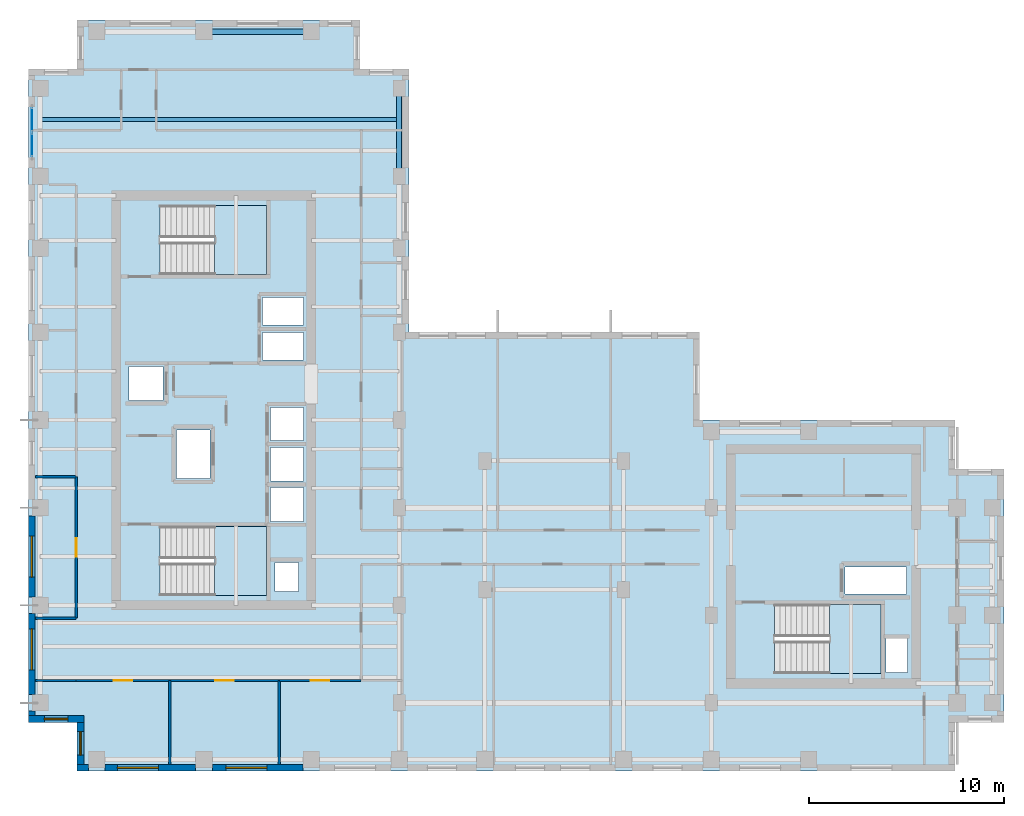
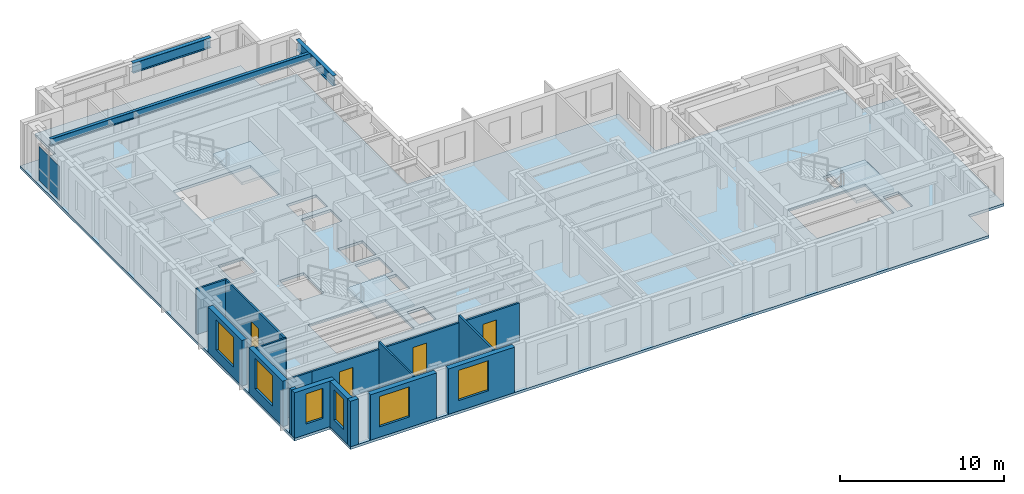
# One storey, part 5 of 13: 17 walls, 6 windows, 4 doors, 4 slabs, 3 beams, 2 plates, 10 openings, 4 elements without a shape of their own.
"""IFC4 building model written with IfcOpenShell, lengths in metres."""

from ifc_helpers import new_model, si_unit, direction, frame, frame_2d, origin, origin_2d, place, context, subcontext, project, spatial, polyline, rectangle, i_section, outline, extrude, source, transform, mapped, material, layer, layer_set, material_profile, profile_set, type_object, element, fill, aggregate, save


model = new_model("IFC4")

# Units and contexts
model_context = context("Model", 3, precision=1e-05, world=origin(), true_north=direction((0.0, 1.0)))
body_context = subcontext(model_context, "Body", "Model", "MODEL_VIEW")
ifc_project = project(units=[si_unit("LENGTHUNIT", "METRE"), si_unit("AREAUNIT", "SQUARE_METRE"), si_unit("VOLUMEUNIT", "CUBIC_METRE"), si_unit("PLANEANGLEUNIT", "RADIAN"), si_unit("MASSUNIT", "GRAM", prefix="KILO")], contexts=[model_context])

# Site, building, storey
site_placement = place(None, origin())
site = spatial("IfcSite", under=ifc_project, at=site_placement, CompositionType="ELEMENT")
building_placement = place(site_placement, origin())
building = spatial("IfcBuilding", under=site, at=building_placement, Name="Kharzan Plaza Tower", CompositionType="ELEMENT")
storey_placement = place(building_placement, frame((0.0, 0.0, 252.0)))
storey = spatial("IfcBuildingStorey", under=building, at=storey_placement, Name="L68", CompositionType="ELEMENT", Elevation=252.0)

# Beams
ifc_material_1 = material(Name="Steel S355", Category="steel")
ifc_material_profile_1 = material_profile(ifc_material_1, i_section(OverallWidth=0.2099609375, OverallDepth=0.537109375, WebThickness=0.010986328125, FlangeThickness=0.017333984375, at=origin_2d()), Name="W530x101")
ifc_profile_set_1 = profile_set([ifc_material_profile_1], Name="Steel S355")
beam_type_1 = type_object("IfcBeamType", Name="BM-JST530B", PredefinedType="JOIST", material=ifc_profile_set_1)
shared_shape_1 = source(origin(), body_context, "Body", "SweptSolid", [
    extrude(i_section(OverallWidth=0.2099609375, OverallDepth=0.537109375, WebThickness=0.010986328125, FlangeThickness=0.017333984375, at=origin_2d()), origin(), (0.0, 0.0, 1.0), 18.39990234375),
])
beam_1_placement = place(storey_placement, frame((0.60009765625, 33.39990234375, 3.131591796875), z_axis=(1.0, 0.0, 0.0), x_axis=(0.0, 1.0, 0.0)))
element("IfcBeam", 1, at=beam_1_placement, inside=storey, type_object=beam_type_1, Name="L68 Wing A Composite Joist 05", PredefinedType="JOIST", context=body_context, shape_type="MappedRepresentation", body=[
    mapped(shared_shape_1, transform((0.0, 0.0, 0.0), x_axis=(1.0, 0.0, 0.0), y_axis=(0.0, 1.0, 0.0), z_axis=(0.0, 0.0, 1.0))),
])
ifc_material_profile_2 = material_profile(ifc_material_1, i_section(OverallWidth=0.26708984375, OverallDepth=0.76611328125, WebThickness=0.014892578125, FlangeThickness=0.023681640625, at=origin_2d()), Name="W760x185")
ifc_profile_set_2 = profile_set([ifc_material_profile_2], Name="Steel S355")
beam_type_2 = type_object("IfcBeamType", Name="BM-SP760B", PredefinedType="SPANDREL", material=ifc_profile_set_2)
shared_shape_2 = source(origin(), body_context, "Body", "SweptSolid", [
    extrude(i_section(OverallWidth=0.26708984375, OverallDepth=0.76611328125, WebThickness=0.014892578125, FlangeThickness=0.023681640625, at=origin_2d()), origin(), (0.0, 0.0, 1.0), 4.5),
])
beam_2_placement = place(storey_placement, frame((19.0, 30.5, 3.01708984375), z_axis=(0.0, 1.0, 0.0), x_axis=(-1.0, 0.0, 0.0)))
element("IfcBeam", 2, at=beam_2_placement, inside=storey, type_object=beam_type_2, Name="L68 Perimeter Tube Spandrel", PredefinedType="SPANDREL", context=body_context, shape_type="MappedRepresentation", body=[
    mapped(shared_shape_2, transform((0.0, 0.0, 0.0), x_axis=(1.0, 0.0, 0.0), y_axis=(0.0, 1.0, 0.0), z_axis=(0.0, 0.0, 1.0))),
])
shared_shape_3 = source(origin(), body_context, "Body", "SweptSolid", [
    extrude(i_section(OverallWidth=0.26708984375, OverallDepth=0.76611328125, WebThickness=0.014892578125, FlangeThickness=0.023681640625, at=origin_2d()), origin(), (0.0, 0.0, 1.0), 5.5),
])
beam_3_placement = place(storey_placement, frame((9.0, 37.89990234375, 3.01708984375), z_axis=(1.0, 0.0, 0.0), x_axis=(0.0, 1.0, 0.0)))
element("IfcBeam", 3, at=beam_3_placement, inside=storey, type_object=beam_type_2, Name="L68 Perimeter Tube Spandrel", PredefinedType="SPANDREL", context=body_context, shape_type="MappedRepresentation", body=[
    mapped(shared_shape_3, transform((0.0, 0.0, 0.0), x_axis=(1.0, 0.0, 0.0), y_axis=(0.0, 1.0, 0.0), z_axis=(0.0, 0.0, 1.0))),
])

# Slab
ifc_material_2 = material(Name="Concrete C40/50", Category="concrete")
ifc_layer_1 = layer(ifc_material_2, 0.199951171875)
ifc_layer_set_1 = layer_set([ifc_layer_1], Name="Concrete C40/50")
slab_type_1 = type_object("IfcSlabType", Name="SL-FLOOR-200", PredefinedType="FLOOR", material=ifc_layer_set_1)
slab_1_placement = place(storey_placement, frame((0.0, 0.0, -0.199951171875)))
element("IfcSlab", 4, at=slab_1_placement, inside=storey, type_object=slab_type_1, Name="L68 Composite Structural Floor Slab 200 mm", PredefinedType="FLOOR", context=body_context, shape_type="SweptSolid", body=[
    extrude(outline(polyline([(34.39990234375, 18.0), (34.39990234375, 22.5), (19.5, 22.5), (19.5, 36.0), (17.0, 36.0), (17.0, 38.5), (2.5, 38.5), (2.5, 36.0), (0.0, 36.0), (0.0, 2.5), (2.5, 2.5), (2.5, 0.0), (19.5, 0.0), (34.39990234375, 0.0), (47.5, 0.0), (47.5, 2.5), (50.0, 2.5), (50.0, 15.5), (47.5, 15.5), (47.5, 18.0), (34.39990234375, 18.0)]), holes=[polyline([(12.199951171875, 12.550048828125), (6.75, 12.550048828125), (6.75, 9.0), (12.199951171875, 9.0), (12.199951171875, 12.550048828125)]), polyline([(14.10009765625, 12.800048828125), (14.10009765625, 14.530029296875), (12.39990234375, 14.530029296875), (12.39990234375, 12.800048828125), (14.10009765625, 12.800048828125)]), polyline([(9.300048828125, 15.0), (9.300048828125, 17.5), (7.60009765625, 17.5), (7.60009765625, 15.0), (9.300048828125, 15.0)]), polyline([(6.89990234375, 20.72998046875), (5.14990234375, 20.72998046875), (5.14990234375, 19.010009765625), (6.89990234375, 19.010009765625), (6.89990234375, 20.72998046875)]), polyline([(14.10009765625, 21.070068359375), (14.10009765625, 22.489990234375), (12.0, 22.489990234375), (12.0, 21.070068359375), (14.10009765625, 21.070068359375)]), polyline([(14.10009765625, 22.8701171875), (14.10009765625, 24.2900390625), (12.0, 24.2900390625), (12.0, 22.8701171875), (14.10009765625, 22.8701171875)]), polyline([(12.199951171875, 29.0), (6.75, 29.0), (6.75, 25.449951171875), (12.199951171875, 25.449951171875), (12.199951171875, 29.0)]), polyline([(45.050048828125, 5.050048828125), (45.050048828125, 6.800048828125), (43.949951171875, 6.800048828125), (43.949951171875, 5.050048828125), (45.050048828125, 5.050048828125)]), polyline([(43.699951171875, 5.0), (43.699951171875, 8.550048828125), (38.25, 8.550048828125), (38.25, 5.0), (43.699951171875, 5.0)]), polyline([(45.0, 9.070068359375), (45.0, 10.469970703125), (41.85009765625, 10.469970703125), (41.85009765625, 9.070068359375), (45.0, 9.070068359375)]), polyline([(13.85009765625, 9.199951171875), (13.85009765625, 10.699951171875), (12.64990234375, 10.699951171875), (12.64990234375, 9.199951171875), (13.85009765625, 9.199951171875)]), polyline([(14.10009765625, 14.8701171875), (14.10009765625, 16.60009765625), (12.39990234375, 16.60009765625), (12.39990234375, 14.8701171875), (14.10009765625, 14.8701171875)]), polyline([(14.10009765625, 16.93994140625), (14.10009765625, 18.64990234375), (12.39990234375, 18.64990234375), (12.39990234375, 16.93994140625), (14.10009765625, 16.93994140625)])]), origin(), (0.0, 0.0, 1.0), 0.199951171875),
])

# Stair, slab
stair_type_1 = type_object("IfcStairType", Name="STR-ST-1", PredefinedType="HALF_TURN_STAIR", material=ifc_material_2)
stair_1_placement = place(storey_placement, origin())
stair_1 = element("IfcStair", 5, at=stair_1_placement, inside=storey, type_object=stair_type_1, Name="L68 Protected Exit Stair ST-1", PredefinedType="HALF_TURN_STAIR")
ifc_layer_2 = layer(ifc_material_2, 0.219970703125)
ifc_layer_set_2 = layer_set([ifc_layer_2], Name="Concrete C40/50")
slab_type_2 = type_object("IfcSlabType", Name="SL-LANDING-220", PredefinedType="LANDING", material=ifc_layer_set_2)
slab_2_placement = place(storey_placement, frame((0.0, 0.0, 1.60009765625)))
slab_2 = element("IfcSlab", 6, at=slab_2_placement, type_object=slab_type_2, Name="ST-1 landing 1", PredefinedType="LANDING", context=body_context, shape_type="SweptSolid", body=[
    extrude(outline(polyline([(9.550048828125, 9.0), (12.199951171875, 9.0), (12.199951171875, 12.550048828125), (9.550048828125, 12.550048828125), (9.550048828125, 9.0)])), origin(), (0.0, 0.0, 1.0), 0.199951171875),
])
aggregate(stair_1, [slab_2])

stair_type_2 = type_object("IfcStairType", Name="STR-ST-2", PredefinedType="HALF_TURN_STAIR", material=ifc_material_2)
stair_2_placement = place(storey_placement, origin())
stair_2 = element("IfcStair", 7, at=stair_2_placement, inside=storey, type_object=stair_type_2, Name="L68 Protected Exit Stair ST-2", PredefinedType="HALF_TURN_STAIR")
slab_3_placement = place(storey_placement, frame((0.0, 0.0, 1.60009765625)))
slab_3 = element("IfcSlab", 8, at=slab_3_placement, type_object=slab_type_2, Name="ST-2 landing 1", PredefinedType="LANDING", context=body_context, shape_type="SweptSolid", body=[
    extrude(outline(polyline([(9.550048828125, 25.449951171875), (12.199951171875, 25.449951171875), (12.199951171875, 29.0), (9.550048828125, 29.0), (9.550048828125, 25.449951171875)])), origin(), (0.0, 0.0, 1.0), 0.199951171875),
])
aggregate(stair_2, [slab_3])

stair_type_3 = type_object("IfcStairType", Name="STR-ST-3", PredefinedType="HALF_TURN_STAIR", material=ifc_material_2)
stair_3_placement = place(storey_placement, origin())
stair_3 = element("IfcStair", 9, at=stair_3_placement, inside=storey, type_object=stair_type_3, Name="L68 Protected Exit Stair ST-3", PredefinedType="HALF_TURN_STAIR")
slab_4_placement = place(storey_placement, frame((0.0, 0.0, 1.60009765625)))
slab_4 = element("IfcSlab", 10, at=slab_4_placement, type_object=slab_type_2, Name="ST-3 landing 1", PredefinedType="LANDING", context=body_context, shape_type="SweptSolid", body=[
    extrude(outline(polyline([(41.050048828125, 5.0), (43.699951171875, 5.0), (43.699951171875, 8.550048828125), (41.050048828125, 8.550048828125), (41.050048828125, 5.0)])), origin(), (0.0, 0.0, 1.0), 0.199951171875),
])
aggregate(stair_3, [slab_4])

# Curtain wall, plates
ifc_material_3 = material(Name="Unitised Bronze-Anodized Aluminium and Low-E Glass", Category="aluminium")
ifc_layer_3 = layer(ifc_material_3, 0.199951171875)
ifc_layer_set_3 = layer_set([ifc_layer_3], Name="Unitised Bronze-Anodized Aluminium and Low-E Glass")
curtain_wall_type = type_object("IfcCurtainWallType", Name="CW-EXEC-5", PredefinedType="NOTDEFINED", material=ifc_layer_set_3)
curtain_wall_placement = place(storey_placement, origin())
curtain_wall = element("IfcCurtainWall", 11, at=curtain_wall_placement, inside=storey, type_object=curtain_wall_type, Name="L68 Upper Executive Setback Panoramic Curtain Wall", PredefinedType="NOTDEFINED")
ifc_material_4 = material(Name="Dark Solar-Control Double Glazing", Category="glass")
ifc_layer_4 = layer(ifc_material_4, 0.031982421875)
ifc_layer_set_4 = layer_set([ifc_layer_4], Name="Dark Solar-Control Double Glazing")
plate_type = type_object("IfcPlateType", Name="PLT-CW-GLASS", PredefinedType="CURTAIN_PANEL", material=ifc_layer_set_4)
shared_shape_4 = source(origin(), body_context, "Body", "SweptSolid", [
    extrude(rectangle(XDim=1.179931640625, YDim=0.031982421875, at=origin_2d()), origin(), (0.0, 0.0, 1.0), 2.5400390625),
])
plate_1_placement = place(storey_placement, frame((0.179931640625, 32.10009765625, 0.080078125), z_axis=(0.0, 0.0, 1.0), x_axis=(0.0, 1.0, 0.0)))
plate_1 = element("IfcPlate", 12, at=plate_1_placement, type_object=plate_type, Name="L68 Curtain-Wall Glazed Panel 00", PredefinedType="CURTAIN_PANEL", context=body_context, shape_type="MappedRepresentation", body=[
    mapped(shared_shape_4, transform((0.0, 0.0, 0.0), x_axis=(1.0, 0.0, 0.0), y_axis=(0.0, 1.0, 0.0), z_axis=(0.0, 0.0, 1.0))),
])
plate_2_placement = place(storey_placement, frame((0.179931640625, 33.39990234375, 0.080078125), z_axis=(0.0, 0.0, 1.0), x_axis=(0.0, 1.0, 0.0)))
plate_2 = element("IfcPlate", 13, at=plate_2_placement, type_object=plate_type, Name="L68 Curtain-Wall Glazed Panel 01", PredefinedType="CURTAIN_PANEL", context=body_context, shape_type="MappedRepresentation", body=[
    mapped(shared_shape_4, transform((0.0, 0.0, 0.0), x_axis=(1.0, 0.0, 0.0), y_axis=(0.0, 1.0, 0.0), z_axis=(0.0, 0.0, 1.0))),
])
aggregate(curtain_wall, [plate_1, plate_2])

# Wall, opening, window
ifc_layer_5 = layer(ifc_material_2, 0.35009765625)
ifc_layer_set_5 = layer_set([ifc_layer_5], Name="Concrete C40/50")
wall_type_1 = type_object("IfcWallType", Name="WL-EXT-MAS-Z4", PredefinedType="SOLIDWALL", material=ifc_layer_set_5)
wall_1_placement = place(storey_placement, frame((0.175048828125, 13.076904296875, 0.0), z_axis=(0.0, 0.0, 1.0), x_axis=(0.0, -1.0, 0.0)))
wall_1 = element("IfcWall", 14, at=wall_1_placement, inside=storey, type_object=wall_type_1, Name="L68 Masonry-Frame Exterior Wall 21", PredefinedType="SOLIDWALL", context=body_context, shape_type="SweptSolid", body=[
    extrude(rectangle(XDim=4.15380859375, YDim=0.35009765625, at=frame_2d((2.076904296875, 0.0))), origin(), (0.0, 0.0, 1.0), 3.385009765625),
])
opening_1_placement = place(wall_1_placement, frame((1.027099609375, 0.0, 0.780029296875)))
opening_1 = element("IfcOpeningElement", 15, at=opening_1_placement, cuts=wall_1, Name="Opening W6", PredefinedType="OPENING", context=body_context, shape_type="SweptSolid", body=[
    extrude(rectangle(XDim=2.10009765625, YDim=2.25, at=frame_2d((1.050048828125, 1.125))), frame((0.0, 0.18505859375, 0.0), z_axis=(0.0, -1.0, 0.0), x_axis=(1.0, 0.0, 0.0)), (0.0, 0.0, 1.0), 0.3701171875),
])
ifc_material_5 = material(Name="Low-E Double Glazing", Category="glass")
window_type_1 = type_object("IfcWindowType", Name="WN-EXEC-2100x2250", PartitioningType="SINGLE_PANEL", PredefinedType="WINDOW", material=ifc_material_5)
shared_shape_5 = source(origin(), body_context, "Body", "SweptSolid", [
    extrude(rectangle(XDim=2.10009765625, YDim=2.25, at=frame_2d((1.050048828125, 1.125))), frame((0.0, 0.030029296875, 0.0), z_axis=(0.0, -1.0, 0.0), x_axis=(1.0, 0.0, 0.0)), (0.0, 0.0, 1.0), 0.06005859375),
])
window_1_placement = place(opening_1_placement, origin())
window_1 = element("IfcWindow", 16, at=window_1_placement, inside=storey, type_object=window_type_1, Name="L68 Recessed Solar-Control Window 21-1", OverallHeight=2.25, OverallWidth=2.10009765625, PartitioningType="SINGLE_PANEL", PredefinedType="WINDOW", context=body_context, shape_type="MappedRepresentation", body=[
    mapped(shared_shape_5, transform((0.0, 0.0, 0.0), x_axis=(1.0, 0.0, 0.0), y_axis=(0.0, 1.0, 0.0), z_axis=(0.0, 0.0, 1.0))),
])
fill(opening_1, window_1)

wall_2_placement = place(storey_placement, frame((0.175048828125, 8.076904296875, 0.0), z_axis=(0.0, 0.0, 1.0), x_axis=(0.0, -1.0, 0.0)))
wall_2 = element("IfcWall", 17, at=wall_2_placement, inside=storey, type_object=wall_type_1, Name="L68 Masonry-Frame Exterior Wall 22", PredefinedType="SOLIDWALL", context=body_context, shape_type="SweptSolid", body=[
    extrude(rectangle(XDim=4.15380859375, YDim=0.35009765625, at=frame_2d((2.076904296875, 0.0))), origin(), (0.0, 0.0, 1.0), 3.385009765625),
])
opening_2_placement = place(wall_2_placement, frame((0.777099609375, 0.0, 0.780029296875)))
opening_2 = element("IfcOpeningElement", 18, at=opening_2_placement, cuts=wall_2, Name="Opening W6", PredefinedType="OPENING", context=body_context, shape_type="SweptSolid", body=[
    extrude(rectangle(XDim=2.10009765625, YDim=2.25, at=frame_2d((1.050048828125, 1.125))), frame((0.0, 0.18505859375, 0.0), z_axis=(0.0, -1.0, 0.0), x_axis=(1.0, 0.0, 0.0)), (0.0, 0.0, 1.0), 0.3701171875),
])
window_2_placement = place(opening_2_placement, origin())
window_2 = element("IfcWindow", 19, at=window_2_placement, inside=storey, type_object=window_type_1, Name="L68 Recessed Solar-Control Window 22-1", OverallHeight=2.25, OverallWidth=2.10009765625, PartitioningType="SINGLE_PANEL", PredefinedType="WINDOW", context=body_context, shape_type="MappedRepresentation", body=[
    mapped(shared_shape_5, transform((0.0, 0.0, 0.0), x_axis=(1.0, 0.0, 0.0), y_axis=(0.0, 1.0, 0.0), z_axis=(0.0, 0.0, 1.0))),
])
fill(opening_2, window_2)

wall_3_placement = place(storey_placement, frame((0.0, 2.675048828125, 0.0), z_axis=(0.0, 0.0, 1.0), x_axis=(1.0, 0.0, 0.0)))
wall_3 = element("IfcWall", 20, at=wall_3_placement, inside=storey, type_object=wall_type_1, Name="L68 Masonry-Frame Exterior Wall 24", PredefinedType="SOLIDWALL", context=body_context, shape_type="SweptSolid", body=[
    extrude(rectangle(XDim=2.85009765625, YDim=0.35009765625, at=frame_2d((1.425048828125, 0.0))), origin(), (0.0, 0.0, 1.0), 3.385009765625),
])
opening_3_placement = place(wall_3_placement, frame((0.824951171875, 0.0, 0.780029296875)))
opening_3 = element("IfcOpeningElement", 21, at=opening_3_placement, cuts=wall_3, Name="Opening W3", PredefinedType="OPENING", context=body_context, shape_type="SweptSolid", body=[
    extrude(rectangle(XDim=1.199951171875, YDim=2.25, at=frame_2d((0.60009765625, 1.125))), frame((0.0, 0.18505859375, 0.0), z_axis=(0.0, -1.0, 0.0), x_axis=(1.0, 0.0, 0.0)), (0.0, 0.0, 1.0), 0.3701171875),
])
window_type_2 = type_object("IfcWindowType", Name="WN-REC-1200x2100", PartitioningType="SINGLE_PANEL", PredefinedType="WINDOW", material=ifc_material_5)
shared_shape_6 = source(origin(), body_context, "Body", "SweptSolid", [
    extrude(rectangle(XDim=1.199951171875, YDim=2.25, at=frame_2d((0.60009765625, 1.125))), frame((0.0, 0.030029296875, 0.0), z_axis=(0.0, -1.0, 0.0), x_axis=(1.0, 0.0, 0.0)), (0.0, 0.0, 1.0), 0.06005859375),
])
window_3_placement = place(opening_3_placement, origin())
window_3 = element("IfcWindow", 22, at=window_3_placement, inside=storey, type_object=window_type_2, Name="L68 Recessed Solar-Control Window 24-1", OverallHeight=2.25, OverallWidth=1.199951171875, PartitioningType="SINGLE_PANEL", PredefinedType="WINDOW", context=body_context, shape_type="MappedRepresentation", body=[
    mapped(shared_shape_6, transform((0.0, 0.0, 0.0), x_axis=(1.0, 0.0, 0.0), y_axis=(0.0, 1.0, 0.0), z_axis=(0.0, 0.0, 1.0))),
])
fill(opening_3, window_3)

wall_4_placement = place(storey_placement, frame((2.675048828125, 2.501953125, 0.0), z_axis=(0.0, 0.0, 1.0), x_axis=(0.0, -1.0, 0.0)))
wall_4 = element("IfcWall", 23, at=wall_4_placement, inside=storey, type_object=wall_type_1, Name="L68 Masonry-Frame Exterior Wall 25", PredefinedType="SOLIDWALL", context=body_context, shape_type="SweptSolid", body=[
    extrude(rectangle(XDim=2.154052734375, YDim=0.35009765625, at=frame_2d((1.0771484375, 0.0))), origin(), (0.0, 0.0, 1.0), 3.385009765625),
])
opening_4_placement = place(wall_4_placement, frame((0.47705078125, 0.0, 0.780029296875)))
opening_4 = element("IfcOpeningElement", 24, at=opening_4_placement, cuts=wall_4, Name="Opening W3", PredefinedType="OPENING", context=body_context, shape_type="SweptSolid", body=[
    extrude(rectangle(XDim=1.199951171875, YDim=2.25, at=frame_2d((0.60009765625, 1.125))), frame((0.0, 0.18505859375, 0.0), z_axis=(0.0, -1.0, 0.0), x_axis=(1.0, 0.0, 0.0)), (0.0, 0.0, 1.0), 0.3701171875),
])
window_4_placement = place(opening_4_placement, origin())
window_4 = element("IfcWindow", 25, at=window_4_placement, inside=storey, type_object=window_type_2, Name="L68 Recessed Solar-Control Window 25-1", OverallHeight=2.25, OverallWidth=1.199951171875, PartitioningType="SINGLE_PANEL", PredefinedType="WINDOW", context=body_context, shape_type="MappedRepresentation", body=[
    mapped(shared_shape_6, transform((0.0, 0.0, 0.0), x_axis=(1.0, 0.0, 0.0), y_axis=(0.0, 1.0, 0.0), z_axis=(0.0, 0.0, 1.0))),
])
fill(opening_4, window_4)

wall_5_placement = place(storey_placement, frame((3.923095703125, 0.175048828125, 0.0), z_axis=(0.0, 0.0, 1.0), x_axis=(1.0, 0.0, 0.0)))
wall_5 = element("IfcWall", 26, at=wall_5_placement, inside=storey, type_object=wall_type_1, Name="L68 Masonry-Frame Exterior Wall 27", PredefinedType="SOLIDWALL", context=body_context, shape_type="SweptSolid", body=[
    extrude(rectangle(XDim=4.65380859375, YDim=0.35009765625, at=frame_2d((2.326904296875, 0.0))), origin(), (0.0, 0.0, 1.0), 3.385009765625),
])
opening_5_placement = place(wall_5_placement, frame((0.640380859375, 0.0, 0.780029296875)))
opening_5 = element("IfcOpeningElement", 27, at=opening_5_placement, cuts=wall_5, Name="Opening W6", PredefinedType="OPENING", context=body_context, shape_type="SweptSolid", body=[
    extrude(rectangle(XDim=2.10009765625, YDim=2.25, at=frame_2d((1.050048828125, 1.125))), frame((0.0, 0.18505859375, 0.0), z_axis=(0.0, -1.0, 0.0), x_axis=(1.0, 0.0, 0.0)), (0.0, 0.0, 1.0), 0.3701171875),
])
window_5_placement = place(opening_5_placement, origin())
window_5 = element("IfcWindow", 28, at=window_5_placement, inside=storey, type_object=window_type_1, Name="L68 Recessed Solar-Control Window 27-1", OverallHeight=2.25, OverallWidth=2.10009765625, PartitioningType="SINGLE_PANEL", PredefinedType="WINDOW", context=body_context, shape_type="MappedRepresentation", body=[
    mapped(shared_shape_5, transform((0.0, 0.0, 0.0), x_axis=(1.0, 0.0, 0.0), y_axis=(0.0, 1.0, 0.0), z_axis=(0.0, 0.0, 1.0))),
])
fill(opening_5, window_5)

wall_6_placement = place(storey_placement, frame((9.423095703125, 0.175048828125, 0.0), z_axis=(0.0, 0.0, 1.0), x_axis=(1.0, 0.0, 0.0)))
wall_6 = element("IfcWall", 29, at=wall_6_placement, inside=storey, type_object=wall_type_1, Name="L68 Masonry-Frame Exterior Wall 28", PredefinedType="SOLIDWALL", context=body_context, shape_type="SweptSolid", body=[
    extrude(rectangle(XDim=4.65380859375, YDim=0.35009765625, at=frame_2d((2.326904296875, 0.0))), origin(), (0.0, 0.0, 1.0), 3.385009765625),
])
opening_6_placement = place(wall_6_placement, frame((0.7041015625, 0.0, 0.780029296875)))
opening_6 = element("IfcOpeningElement", 30, at=opening_6_placement, cuts=wall_6, Name="Opening W6", PredefinedType="OPENING", context=body_context, shape_type="SweptSolid", body=[
    extrude(rectangle(XDim=2.10009765625, YDim=2.25, at=frame_2d((1.050048828125, 1.125))), frame((0.0, 0.18505859375, 0.0), z_axis=(0.0, -1.0, 0.0), x_axis=(1.0, 0.0, 0.0)), (0.0, 0.0, 1.0), 0.3701171875),
])
window_6_placement = place(opening_6_placement, origin())
window_6 = element("IfcWindow", 31, at=window_6_placement, inside=storey, type_object=window_type_1, Name="L68 Recessed Solar-Control Window 28-1", OverallHeight=2.25, OverallWidth=2.10009765625, PartitioningType="SINGLE_PANEL", PredefinedType="WINDOW", context=body_context, shape_type="MappedRepresentation", body=[
    mapped(shared_shape_5, transform((0.0, 0.0, 0.0), x_axis=(1.0, 0.0, 0.0), y_axis=(0.0, 1.0, 0.0), z_axis=(0.0, 0.0, 1.0))),
])
fill(opening_6, window_6)

# Wall, opening, door
ifc_material_6 = material(Name="Fire-Rated Gypsum Board Partition", Category="gypsum")
ifc_layer_6 = layer(ifc_material_6, 0.125)
ifc_layer_set_6 = layer_set([ifc_layer_6], Name="Fire-Rated Gypsum Board Partition")
wall_type_2 = type_object("IfcWallType", Name="WL-INT-PART-125", PredefinedType="PARTITIONING", material=ifc_layer_set_6)
wall_7_placement = place(storey_placement, frame((2.449951171875, 4.64990234375, 0.0), z_axis=(0.0, 0.0, 1.0), x_axis=(1.0, 0.0, 0.0)))
wall_7 = element("IfcWall", 32, at=wall_7_placement, inside=storey, type_object=wall_type_2, Name="L68 Interior Partition SH-SS-1", PredefinedType="PARTITIONING", context=body_context, shape_type="SweptSolid", body=[
    extrude(rectangle(XDim=4.783935546875, YDim=0.125, at=frame_2d((2.39208984375, 0.0))), origin(), (0.0, 0.0, 1.0), 2.847900390625),
])
opening_7_placement = place(wall_7_placement, frame((1.9169921875, 0.0, 0.0)))
opening_7 = element("IfcOpeningElement", 33, at=opening_7_placement, cuts=wall_7, Name="Opening OD1", PredefinedType="OPENING", context=body_context, shape_type="SweptSolid", body=[
    extrude(rectangle(XDim=0.949951171875, YDim=2.14990234375, at=frame_2d((0.47509765625, 1.074951171875))), frame((0.0, 0.072509765625, 0.0), z_axis=(0.0, -1.0, 0.0), x_axis=(1.0, 0.0, 0.0)), (0.0, 0.0, 1.0), 0.14501953125),
])
ifc_material_7 = material(Name="Acoustic Solid-Core Stained Oak", Category="timber")
door_type = type_object("IfcDoorType", Name="DR-OFF-SINGLE", OperationType="NOTDEFINED", PredefinedType="DOOR", material=ifc_material_7)
shared_shape_7 = source(origin(), body_context, "Body", "SweptSolid", [
    extrude(rectangle(XDim=0.949951171875, YDim=2.14990234375, at=frame_2d((0.47509765625, 1.074951171875))), frame((0.0, 0.02490234375, 0.0), z_axis=(0.0, -1.0, 0.0), x_axis=(1.0, 0.0, 0.0)), (0.0, 0.0, 1.0), 0.050048828125),
])
door_1_placement = place(opening_7_placement, origin())
door_1 = element("IfcDoor", 34, at=door_1_placement, inside=storey, type_object=door_type, Name="L68 Lab Safety Briefing Room Door", OperationType="SINGLE_SWING_RIGHT", OverallHeight=2.14990234375, OverallWidth=0.949951171875, PredefinedType="DOOR", context=body_context, shape_type="MappedRepresentation", body=[
    mapped(shared_shape_7, transform((0.0, 0.0, 0.0), x_axis=(1.0, 0.0, 0.0), y_axis=(0.0, 1.0, 0.0), z_axis=(0.0, 0.0, 1.0))),
])
fill(opening_7, door_1)

wall_8_placement = place(storey_placement, frame((7.23388671875, 4.64990234375, 0.0), z_axis=(0.0, 0.0, 1.0), x_axis=(1.0, 0.0, 0.0)))
wall_8 = element("IfcWall", 35, at=wall_8_placement, inside=storey, type_object=wall_type_2, Name="L68 Interior Partition SH-SS-2", PredefinedType="PARTITIONING", context=body_context, shape_type="SweptSolid", body=[
    extrude(rectangle(XDim=5.627197265625, YDim=0.125, at=frame_2d((2.8134765625, 0.0))), origin(), (0.0, 0.0, 1.0), 2.847900390625),
])
opening_8_placement = place(wall_8_placement, frame((2.33837890625, 0.0, 0.0)))
opening_8 = element("IfcOpeningElement", 36, at=opening_8_placement, cuts=wall_8, Name="Opening OD1", PredefinedType="OPENING", context=body_context, shape_type="SweptSolid", body=[
    extrude(rectangle(XDim=0.949951171875, YDim=2.14990234375, at=frame_2d((0.47509765625, 1.074951171875))), frame((0.0, 0.072509765625, 0.0), z_axis=(0.0, -1.0, 0.0), x_axis=(1.0, 0.0, 0.0)), (0.0, 0.0, 1.0), 0.14501953125),
])
door_2_placement = place(opening_8_placement, origin())
door_2 = element("IfcDoor", 37, at=door_2_placement, inside=storey, type_object=door_type, Name="L68 Data Processing Office Door", OperationType="SINGLE_SWING_LEFT", OverallHeight=2.14990234375, OverallWidth=0.949951171875, PredefinedType="DOOR", context=body_context, shape_type="MappedRepresentation", body=[
    mapped(shared_shape_7, transform((0.0, 0.0, 0.0), x_axis=(1.0, 0.0, 0.0), y_axis=(0.0, 1.0, 0.0), z_axis=(0.0, 0.0, 1.0))),
])
fill(opening_8, door_2)

wall_9_placement = place(storey_placement, frame((12.861083984375, 4.64990234375, 0.0), z_axis=(0.0, 0.0, 1.0), x_axis=(1.0, 0.0, 0.0)))
wall_9 = element("IfcWall", 38, at=wall_9_placement, inside=storey, type_object=wall_type_2, Name="L68 Interior Partition SH-SS-3", PredefinedType="PARTITIONING", context=body_context, shape_type="SweptSolid", body=[
    extrude(rectangle(XDim=4.18896484375, YDim=0.125, at=frame_2d((2.094482421875, 0.0))), origin(), (0.0, 0.0, 1.0), 2.847900390625),
])
opening_9_placement = place(wall_9_placement, frame((1.619384765625, 0.0, 0.0)))
opening_9 = element("IfcOpeningElement", 39, at=opening_9_placement, cuts=wall_9, Name="Opening OD1", PredefinedType="OPENING", context=body_context, shape_type="SweptSolid", body=[
    extrude(rectangle(XDim=0.949951171875, YDim=2.14990234375, at=frame_2d((0.47509765625, 1.074951171875))), frame((0.0, 0.072509765625, 0.0), z_axis=(0.0, -1.0, 0.0), x_axis=(1.0, 0.0, 0.0)), (0.0, 0.0, 1.0), 0.14501953125),
])
door_3_placement = place(opening_9_placement, origin())
door_3 = element("IfcDoor", 40, at=door_3_placement, inside=storey, type_object=door_type, Name="L68 Staff Tea Pantry Door", OperationType="SINGLE_SWING_RIGHT", OverallHeight=2.14990234375, OverallWidth=0.949951171875, PredefinedType="DOOR", context=body_context, shape_type="MappedRepresentation", body=[
    mapped(shared_shape_7, transform((0.0, 0.0, 0.0), x_axis=(1.0, 0.0, 0.0), y_axis=(0.0, 1.0, 0.0), z_axis=(0.0, 0.0, 1.0))),
])
fill(opening_9, door_3)

wall_10_placement = place(storey_placement, frame((2.449951171875, 7.85009765625, 0.0), z_axis=(0.0, 0.0, 1.0), x_axis=(0.0, 1.0, 0.0)))
wall_10 = element("IfcWall", 41, at=wall_10_placement, inside=storey, type_object=wall_type_2, Name="L68 Interior Partition SH-WW-1", PredefinedType="PARTITIONING", context=body_context, shape_type="SweptSolid", body=[
    extrude(rectangle(XDim=7.25, YDim=0.125, at=frame_2d((3.625, 0.0))), origin(), (0.0, 0.0, 1.0), 3.385009765625),
])
opening_10_placement = place(wall_10_placement, frame((3.14990234375, 0.0, 0.0)))
opening_10 = element("IfcOpeningElement", 42, at=opening_10_placement, cuts=wall_10, Name="Opening OD1", PredefinedType="OPENING", context=body_context, shape_type="SweptSolid", body=[
    extrude(rectangle(XDim=0.949951171875, YDim=2.14990234375, at=frame_2d((0.47509765625, 1.074951171875))), frame((0.0, 0.072509765625, 0.0), z_axis=(0.0, -1.0, 0.0), x_axis=(1.0, 0.0, 0.0)), (0.0, 0.0, 1.0), 0.14501953125),
])
door_4_placement = place(opening_10_placement, origin())
door_4 = element("IfcDoor", 43, at=door_4_placement, inside=storey, type_object=door_type, Name="L68 Technical Equipment Store Door", OperationType="SINGLE_SWING_LEFT", OverallHeight=2.14990234375, OverallWidth=0.949951171875, PredefinedType="DOOR", context=body_context, shape_type="MappedRepresentation", body=[
    mapped(shared_shape_7, transform((0.0, 0.0, 0.0), x_axis=(1.0, 0.0, 0.0), y_axis=(0.0, 1.0, 0.0), z_axis=(0.0, 0.0, 1.0))),
])
fill(opening_10, door_4)

# Walls
shared_shape_8 = source(origin(), body_context, "Body", "SweptSolid", [
    extrude(rectangle(XDim=2.097900390625, YDim=0.125, at=frame_2d((1.048828125, 0.0))), origin(), (0.0, 0.0, 1.0), 3.385009765625),
])
for number, where, z_axis, x_axis, name in (
    (44, (0.35205078125, 7.85009765625, 0.0), (0.0, 0.0, 1.0), (1.0, 0.0, 0.0), "L68 Interior Partition SH-RWS0"),
    (45, (0.35205078125, 15.10009765625, 0.0), (0.0, 0.0, 1.0), (1.0, 0.0, 0.0), "L68 Interior Partition SH-WH-1"),
):
    element("IfcWall", number, at=place(storey_placement, frame(where, z_axis=z_axis, x_axis=x_axis)), inside=storey, type_object=wall_type_2, Name=name, PredefinedType="PARTITIONING", context=body_context, shape_type="MappedRepresentation", body=[
        mapped(shared_shape_8, transform((0.0, 0.0, 0.0), x_axis=(1.0, 0.0, 0.0), y_axis=(0.0, 1.0, 0.0), z_axis=(0.0, 0.0, 1.0))),
    ])
shared_shape_9 = source(origin(), body_context, "Body", "SweptSolid", [
    extrude(rectangle(XDim=2.097900390625, YDim=0.125, at=frame_2d((1.048828125, 0.0))), origin(), (0.0, 0.0, 1.0), 2.847900390625),
])
wall_11_placement = place(storey_placement, frame((0.35205078125, 4.64990234375, 0.0), z_axis=(0.0, 0.0, 1.0), x_axis=(1.0, 0.0, 0.0)))
element("IfcWall", 46, at=wall_11_placement, inside=storey, type_object=wall_type_2, Name="L68 Interior Partition SH-SS-EXT", PredefinedType="PARTITIONING", context=body_context, shape_type="MappedRepresentation", body=[
    mapped(shared_shape_9, transform((0.0, 0.0, 0.0), x_axis=(1.0, 0.0, 0.0), y_axis=(0.0, 1.0, 0.0), z_axis=(0.0, 0.0, 1.0))),
])
shared_shape_10 = source(origin(), body_context, "Body", "SweptSolid", [
    extrude(rectangle(XDim=4.2978515625, YDim=0.125, at=frame_2d((2.14892578125, 0.0))), origin(), (0.0, 0.0, 1.0), 3.385009765625),
])
for number, where, z_axis, x_axis, name in (
    (47, (7.23388671875, 0.35205078125, 0.0), (0.0, 0.0, 1.0), (0.0, 1.0, 0.0), "L68 Interior Partition SH-SV-1"),
    (48, (12.861083984375, 0.35205078125, 0.0), (0.0, 0.0, 1.0), (0.0, 1.0, 0.0), "L68 Interior Partition SH-SV-2"),
):
    element("IfcWall", number, at=place(storey_placement, frame(where, z_axis=z_axis, x_axis=x_axis)), inside=storey, type_object=wall_type_2, Name=name, PredefinedType="PARTITIONING", context=body_context, shape_type="MappedRepresentation", body=[
        mapped(shared_shape_10, transform((0.0, 0.0, 0.0), x_axis=(1.0, 0.0, 0.0), y_axis=(0.0, 1.0, 0.0), z_axis=(0.0, 0.0, 1.0))),
    ])
shared_shape_11 = source(origin(), body_context, "Body", "SweptSolid", [
    extrude(rectangle(XDim=0.576904296875, YDim=0.35009765625, at=frame_2d((0.28857421875, 0.0))), origin(), (0.0, 0.0, 1.0), 3.385009765625),
])
wall_12_placement = place(storey_placement, frame((2.5, 0.175048828125, 0.0), z_axis=(0.0, 0.0, 1.0), x_axis=(1.0, 0.0, 0.0)))
element("IfcWall", 49, at=wall_12_placement, inside=storey, type_object=wall_type_1, Name="L68 Masonry-Frame Exterior Wall 26", PredefinedType="SOLIDWALL", context=body_context, shape_type="MappedRepresentation", body=[
    mapped(shared_shape_11, transform((0.0, 0.0, 0.0), x_axis=(1.0, 0.0, 0.0), y_axis=(0.0, 1.0, 0.0), z_axis=(0.0, 0.0, 1.0))),
])
shared_shape_12 = source(origin(), body_context, "Body", "SweptSolid", [
    extrude(rectangle(XDim=0.22900390625, YDim=0.35009765625, at=frame_2d((0.114501953125, 0.0))), origin(), (0.0, 0.0, 1.0), 3.385009765625),
])
wall_13_placement = place(storey_placement, frame((0.175048828125, 3.076904296875, 0.0), z_axis=(0.0, 0.0, 1.0), x_axis=(0.0, -1.0, 0.0)))
element("IfcWall", 50, at=wall_13_placement, inside=storey, type_object=wall_type_1, Name="L68 Masonry-Frame Exterior Wall 23", PredefinedType="SOLIDWALL", context=body_context, shape_type="MappedRepresentation", body=[
    mapped(shared_shape_12, transform((0.0, 0.0, 0.0), x_axis=(1.0, 0.0, 0.0), y_axis=(0.0, 1.0, 0.0), z_axis=(0.0, 0.0, 1.0))),
])

save(model, "model.ifc")
